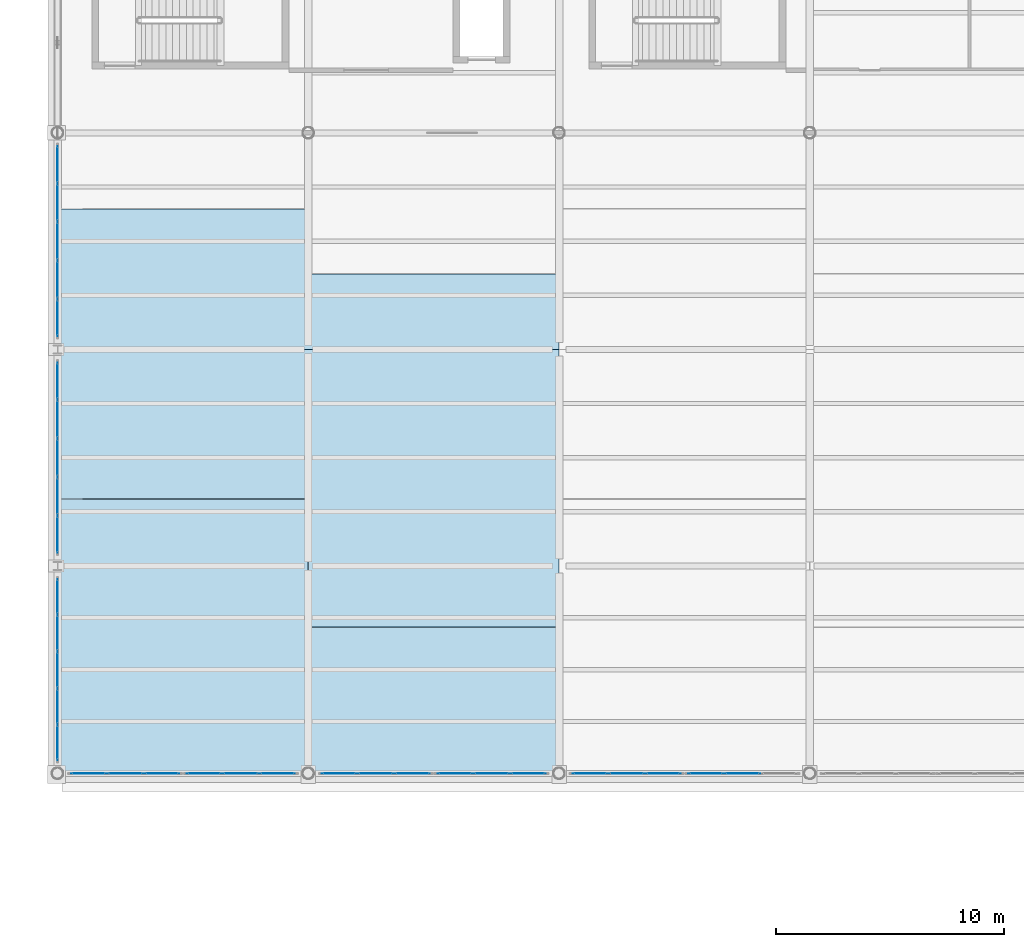
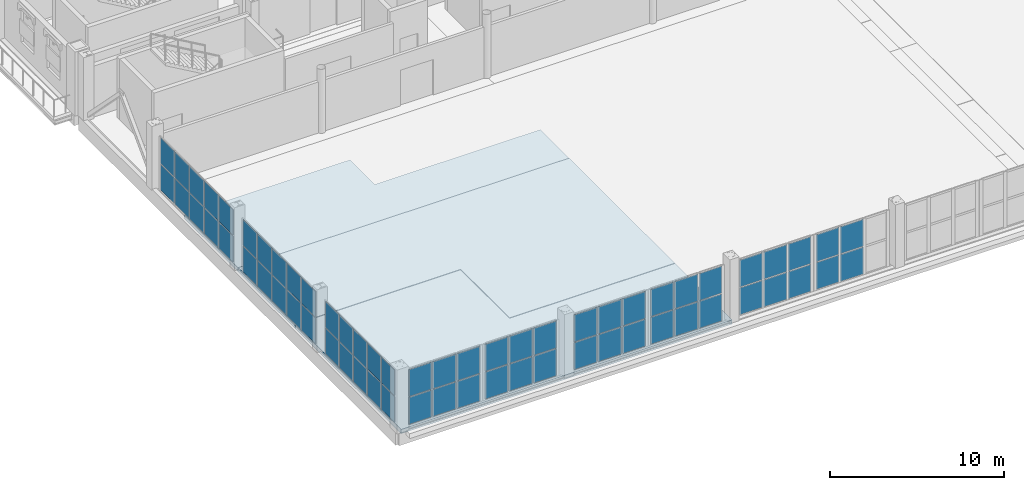
# One storey, part 101 of 156: 64 plates, 3 slabs, 9 elements without a shape of their own.
"""IFC4 building model written with IfcOpenShell, lengths in metres."""

from ifc_helpers import new_model, si_unit, direction, frame, origin, origin_2d, place, context, subcontext, project, spatial, polyline, rectangle, outline, extrude, material, layer, layer_set, type_object, element, aggregate, save


model = new_model("IFC4")

# Units and contexts
model_context = context("Model", 3, precision=1e-05, world=origin(), true_north=direction((0.0, 1.0)))
body_context = subcontext(model_context, "Body", "Model", "MODEL_VIEW")
ifc_project = project(units=[si_unit("LENGTHUNIT", "METRE"), si_unit("AREAUNIT", "SQUARE_METRE"), si_unit("VOLUMEUNIT", "CUBIC_METRE"), si_unit("PLANEANGLEUNIT", "RADIAN"), si_unit("MASSUNIT", "GRAM", prefix="KILO")], contexts=[model_context])

# Site, building, storey
site_placement = place(None, origin())
site = spatial("IfcSite", under=ifc_project, at=site_placement, CompositionType="ELEMENT")
building_placement = place(site_placement, origin())
building = spatial("IfcBuilding", under=site, at=building_placement, Name="Caurita Quay Ferry Terminal", CompositionType="ELEMENT")
storey_placement = place(building_placement, frame((0.0, 0.0, 5.39990234375)))
storey = spatial("IfcBuildingStorey", under=building, at=storey_placement, Name="L01", CompositionType="ELEMENT", Elevation=5.39990234375)

# Curtain wall, plates
ifc_material_1 = material(Name="Laminated solar-control insulated glass", Category="glass")
curtain_wall_type_1 = type_object("IfcCurtainWallType", Name="CW-SYS-08", PredefinedType="NOTDEFINED", material=ifc_material_1)
curtain_wall_1_placement = place(storey_placement, origin())
curtain_wall_1 = element("IfcCurtainWall", 1, at=curtain_wall_1_placement, inside=storey, type_object=curtain_wall_type_1, Name="V1 Waterside Concourse Curtain Wall 049", PredefinedType="NOTDEFINED")
ifc_layer_1 = layer(ifc_material_1, 0.028076171875, Name="Laminated low-e hurricane-rated glazing unit 28 mm")
ifc_layer_set_1 = layer_set([ifc_layer_1], Name="Laminated solar-control insulated glass")
plate_type = type_object("IfcPlateType", Name="CW-PNL-28", PredefinedType="CURTAIN_PANEL", material=ifc_layer_set_1)
plate_1_placement = place(storey_placement, frame((1.35205078125, 34.60009765625, 0.06298828125), z_axis=(0.0, 0.0, 1.0), x_axis=(1.0, 0.0, 0.0)))
plate_1 = element("IfcPlate", 2, at=plate_1_placement, type_object=plate_type, Name="CW-SEA-049 Glazing Panel 1", PredefinedType="CURTAIN_PANEL", context=body_context, shape_type="SweptSolid", body=[
    extrude(rectangle(XDim=1.518310546875, YDim=0.028076171875, at=origin_2d()), origin(), (0.0, 0.0, 1.0), 1.8916015625),
])
plate_2_placement = place(storey_placement, frame((1.35205078125, 34.60009765625, 2.015625), z_axis=(0.0, 0.0, 1.0), x_axis=(1.0, 0.0, 0.0)))
plate_2 = element("IfcPlate", 3, at=plate_2_placement, type_object=plate_type, Name="CW-SEA-049 Glazing Panel 2", PredefinedType="CURTAIN_PANEL", context=body_context, shape_type="SweptSolid", body=[
    extrude(rectangle(XDim=1.518310546875, YDim=0.028076171875, at=origin_2d()), origin(), (0.0, 0.0, 1.0), 1.8916015625),
])
plate_3_placement = place(storey_placement, frame((2.9599609375, 34.60009765625, 0.06298828125), z_axis=(0.0, 0.0, 1.0), x_axis=(1.0, 0.0, 0.0)))
plate_3 = element("IfcPlate", 4, at=plate_3_placement, type_object=plate_type, Name="CW-SEA-049 Glazing Panel 3", PredefinedType="CURTAIN_PANEL", context=body_context, shape_type="SweptSolid", body=[
    extrude(rectangle(XDim=1.5556640625, YDim=0.028076171875, at=origin_2d()), origin(), (0.0, 0.0, 1.0), 1.8916015625),
])
plate_4_placement = place(storey_placement, frame((2.9599609375, 34.60009765625, 2.015625), z_axis=(0.0, 0.0, 1.0), x_axis=(1.0, 0.0, 0.0)))
plate_4 = element("IfcPlate", 5, at=plate_4_placement, type_object=plate_type, Name="CW-SEA-049 Glazing Panel 4", PredefinedType="CURTAIN_PANEL", context=body_context, shape_type="SweptSolid", body=[
    extrude(rectangle(XDim=1.5556640625, YDim=0.028076171875, at=origin_2d()), origin(), (0.0, 0.0, 1.0), 1.8916015625),
])
plate_5_placement = place(storey_placement, frame((4.56787109375, 34.60009765625, 0.06298828125), z_axis=(0.0, 0.0, 1.0), x_axis=(1.0, 0.0, 0.0)))
plate_5 = element("IfcPlate", 6, at=plate_5_placement, type_object=plate_type, Name="CW-SEA-049 Glazing Panel 5", PredefinedType="CURTAIN_PANEL", context=body_context, shape_type="SweptSolid", body=[
    extrude(rectangle(XDim=1.518310546875, YDim=0.028076171875, at=origin_2d()), origin(), (0.0, 0.0, 1.0), 1.8916015625),
])
plate_6_placement = place(storey_placement, frame((4.56787109375, 34.60009765625, 2.015625), z_axis=(0.0, 0.0, 1.0), x_axis=(1.0, 0.0, 0.0)))
plate_6 = element("IfcPlate", 7, at=plate_6_placement, type_object=plate_type, Name="CW-SEA-049 Glazing Panel 6", PredefinedType="CURTAIN_PANEL", context=body_context, shape_type="SweptSolid", body=[
    extrude(rectangle(XDim=1.518310546875, YDim=0.028076171875, at=origin_2d()), origin(), (0.0, 0.0, 1.0), 1.8916015625),
])
aggregate(curtain_wall_1, [plate_1, plate_2, plate_3, plate_4, plate_5, plate_6])

curtain_wall_2_placement = place(storey_placement, origin())
curtain_wall_2 = element("IfcCurtainWall", 8, at=curtain_wall_2_placement, inside=storey, type_object=curtain_wall_type_1, Name="V1 Waterside Concourse Curtain Wall 050", PredefinedType="NOTDEFINED")
plate_7_placement = place(storey_placement, frame((6.43212890625, 34.60009765625, 0.06298828125), z_axis=(0.0, 0.0, 1.0), x_axis=(1.0, 0.0, 0.0)))
plate_7 = element("IfcPlate", 9, at=plate_7_placement, type_object=plate_type, Name="CW-SEA-050 Glazing Panel 1", PredefinedType="CURTAIN_PANEL", context=body_context, shape_type="SweptSolid", body=[
    extrude(rectangle(XDim=1.518310546875, YDim=0.028076171875, at=origin_2d()), origin(), (0.0, 0.0, 1.0), 1.8916015625),
])
plate_8_placement = place(storey_placement, frame((6.43212890625, 34.60009765625, 2.015625), z_axis=(0.0, 0.0, 1.0), x_axis=(1.0, 0.0, 0.0)))
plate_8 = element("IfcPlate", 10, at=plate_8_placement, type_object=plate_type, Name="CW-SEA-050 Glazing Panel 2", PredefinedType="CURTAIN_PANEL", context=body_context, shape_type="SweptSolid", body=[
    extrude(rectangle(XDim=1.518310546875, YDim=0.028076171875, at=origin_2d()), origin(), (0.0, 0.0, 1.0), 1.8916015625),
])
plate_9_placement = place(storey_placement, frame((8.0400390625, 34.60009765625, 0.06298828125), z_axis=(0.0, 0.0, 1.0), x_axis=(1.0, 0.0, 0.0)))
plate_9 = element("IfcPlate", 11, at=plate_9_placement, type_object=plate_type, Name="CW-SEA-050 Glazing Panel 3", PredefinedType="CURTAIN_PANEL", context=body_context, shape_type="SweptSolid", body=[
    extrude(rectangle(XDim=1.5556640625, YDim=0.028076171875, at=origin_2d()), origin(), (0.0, 0.0, 1.0), 1.8916015625),
])
plate_10_placement = place(storey_placement, frame((8.0400390625, 34.60009765625, 2.015625), z_axis=(0.0, 0.0, 1.0), x_axis=(1.0, 0.0, 0.0)))
plate_10 = element("IfcPlate", 12, at=plate_10_placement, type_object=plate_type, Name="CW-SEA-050 Glazing Panel 4", PredefinedType="CURTAIN_PANEL", context=body_context, shape_type="SweptSolid", body=[
    extrude(rectangle(XDim=1.5556640625, YDim=0.028076171875, at=origin_2d()), origin(), (0.0, 0.0, 1.0), 1.8916015625),
])
plate_11_placement = place(storey_placement, frame((9.64794921875, 34.60009765625, 0.06298828125), z_axis=(0.0, 0.0, 1.0), x_axis=(1.0, 0.0, 0.0)))
plate_11 = element("IfcPlate", 13, at=plate_11_placement, type_object=plate_type, Name="CW-SEA-050 Glazing Panel 5", PredefinedType="CURTAIN_PANEL", context=body_context, shape_type="SweptSolid", body=[
    extrude(rectangle(XDim=1.518310546875, YDim=0.028076171875, at=origin_2d()), origin(), (0.0, 0.0, 1.0), 1.8916015625),
])
plate_12_placement = place(storey_placement, frame((9.64794921875, 34.60009765625, 2.015625), z_axis=(0.0, 0.0, 1.0), x_axis=(1.0, 0.0, 0.0)))
plate_12 = element("IfcPlate", 14, at=plate_12_placement, type_object=plate_type, Name="CW-SEA-050 Glazing Panel 6", PredefinedType="CURTAIN_PANEL", context=body_context, shape_type="SweptSolid", body=[
    extrude(rectangle(XDim=1.518310546875, YDim=0.028076171875, at=origin_2d()), origin(), (0.0, 0.0, 1.0), 1.8916015625),
])
aggregate(curtain_wall_2, [plate_7, plate_8, plate_9, plate_10, plate_11, plate_12])

curtain_wall_3_placement = place(storey_placement, origin())
curtain_wall_3 = element("IfcCurtainWall", 15, at=curtain_wall_3_placement, inside=storey, type_object=curtain_wall_type_1, Name="V1 Waterside Concourse Curtain Wall 051", PredefinedType="NOTDEFINED")
plate_13_placement = place(storey_placement, frame((12.35205078125, 34.60009765625, 0.06298828125), z_axis=(0.0, 0.0, 1.0), x_axis=(1.0, 0.0, 0.0)))
plate_13 = element("IfcPlate", 16, at=plate_13_placement, type_object=plate_type, Name="CW-SEA-051 Glazing Panel 1", PredefinedType="CURTAIN_PANEL", context=body_context, shape_type="SweptSolid", body=[
    extrude(rectangle(XDim=1.518310546875, YDim=0.028076171875, at=origin_2d()), origin(), (0.0, 0.0, 1.0), 1.8916015625),
])
plate_14_placement = place(storey_placement, frame((12.35205078125, 34.60009765625, 2.015625), z_axis=(0.0, 0.0, 1.0), x_axis=(1.0, 0.0, 0.0)))
plate_14 = element("IfcPlate", 17, at=plate_14_placement, type_object=plate_type, Name="CW-SEA-051 Glazing Panel 2", PredefinedType="CURTAIN_PANEL", context=body_context, shape_type="SweptSolid", body=[
    extrude(rectangle(XDim=1.518310546875, YDim=0.028076171875, at=origin_2d()), origin(), (0.0, 0.0, 1.0), 1.8916015625),
])
plate_15_placement = place(storey_placement, frame((13.9599609375, 34.60009765625, 0.06298828125), z_axis=(0.0, 0.0, 1.0), x_axis=(1.0, 0.0, 0.0)))
plate_15 = element("IfcPlate", 18, at=plate_15_placement, type_object=plate_type, Name="CW-SEA-051 Glazing Panel 3", PredefinedType="CURTAIN_PANEL", context=body_context, shape_type="SweptSolid", body=[
    extrude(rectangle(XDim=1.5556640625, YDim=0.028076171875, at=origin_2d()), origin(), (0.0, 0.0, 1.0), 1.8916015625),
])
plate_16_placement = place(storey_placement, frame((13.9599609375, 34.60009765625, 2.015625), z_axis=(0.0, 0.0, 1.0), x_axis=(1.0, 0.0, 0.0)))
plate_16 = element("IfcPlate", 19, at=plate_16_placement, type_object=plate_type, Name="CW-SEA-051 Glazing Panel 4", PredefinedType="CURTAIN_PANEL", context=body_context, shape_type="SweptSolid", body=[
    extrude(rectangle(XDim=1.5556640625, YDim=0.028076171875, at=origin_2d()), origin(), (0.0, 0.0, 1.0), 1.8916015625),
])
plate_17_placement = place(storey_placement, frame((15.56787109375, 34.60009765625, 0.06298828125), z_axis=(0.0, 0.0, 1.0), x_axis=(1.0, 0.0, 0.0)))
plate_17 = element("IfcPlate", 20, at=plate_17_placement, type_object=plate_type, Name="CW-SEA-051 Glazing Panel 5", PredefinedType="CURTAIN_PANEL", context=body_context, shape_type="SweptSolid", body=[
    extrude(rectangle(XDim=1.518310546875, YDim=0.028076171875, at=origin_2d()), origin(), (0.0, 0.0, 1.0), 1.8916015625),
])
plate_18_placement = place(storey_placement, frame((15.56787109375, 34.60009765625, 2.015625), z_axis=(0.0, 0.0, 1.0), x_axis=(1.0, 0.0, 0.0)))
plate_18 = element("IfcPlate", 21, at=plate_18_placement, type_object=plate_type, Name="CW-SEA-051 Glazing Panel 6", PredefinedType="CURTAIN_PANEL", context=body_context, shape_type="SweptSolid", body=[
    extrude(rectangle(XDim=1.518310546875, YDim=0.028076171875, at=origin_2d()), origin(), (0.0, 0.0, 1.0), 1.8916015625),
])
aggregate(curtain_wall_3, [plate_13, plate_14, plate_15, plate_16, plate_17, plate_18])

curtain_wall_4_placement = place(storey_placement, origin())
curtain_wall_4 = element("IfcCurtainWall", 22, at=curtain_wall_4_placement, inside=storey, type_object=curtain_wall_type_1, Name="V1 Waterside Concourse Curtain Wall 052", PredefinedType="NOTDEFINED")
plate_19_placement = place(storey_placement, frame((17.43212890625, 34.60009765625, 0.06298828125), z_axis=(0.0, 0.0, 1.0), x_axis=(1.0, 0.0, 0.0)))
plate_19 = element("IfcPlate", 23, at=plate_19_placement, type_object=plate_type, Name="CW-SEA-052 Glazing Panel 1", PredefinedType="CURTAIN_PANEL", context=body_context, shape_type="SweptSolid", body=[
    extrude(rectangle(XDim=1.518310546875, YDim=0.028076171875, at=origin_2d()), origin(), (0.0, 0.0, 1.0), 1.8916015625),
])
plate_20_placement = place(storey_placement, frame((17.43212890625, 34.60009765625, 2.015625), z_axis=(0.0, 0.0, 1.0), x_axis=(1.0, 0.0, 0.0)))
plate_20 = element("IfcPlate", 24, at=plate_20_placement, type_object=plate_type, Name="CW-SEA-052 Glazing Panel 2", PredefinedType="CURTAIN_PANEL", context=body_context, shape_type="SweptSolid", body=[
    extrude(rectangle(XDim=1.518310546875, YDim=0.028076171875, at=origin_2d()), origin(), (0.0, 0.0, 1.0), 1.8916015625),
])
plate_21_placement = place(storey_placement, frame((19.0400390625, 34.60009765625, 0.06298828125), z_axis=(0.0, 0.0, 1.0), x_axis=(1.0, 0.0, 0.0)))
plate_21 = element("IfcPlate", 25, at=plate_21_placement, type_object=plate_type, Name="CW-SEA-052 Glazing Panel 3", PredefinedType="CURTAIN_PANEL", context=body_context, shape_type="SweptSolid", body=[
    extrude(rectangle(XDim=1.5556640625, YDim=0.028076171875, at=origin_2d()), origin(), (0.0, 0.0, 1.0), 1.8916015625),
])
plate_22_placement = place(storey_placement, frame((19.0400390625, 34.60009765625, 2.015625), z_axis=(0.0, 0.0, 1.0), x_axis=(1.0, 0.0, 0.0)))
plate_22 = element("IfcPlate", 26, at=plate_22_placement, type_object=plate_type, Name="CW-SEA-052 Glazing Panel 4", PredefinedType="CURTAIN_PANEL", context=body_context, shape_type="SweptSolid", body=[
    extrude(rectangle(XDim=1.5556640625, YDim=0.028076171875, at=origin_2d()), origin(), (0.0, 0.0, 1.0), 1.8916015625),
])
plate_23_placement = place(storey_placement, frame((20.64794921875, 34.60009765625, 0.06298828125), z_axis=(0.0, 0.0, 1.0), x_axis=(1.0, 0.0, 0.0)))
plate_23 = element("IfcPlate", 27, at=plate_23_placement, type_object=plate_type, Name="CW-SEA-052 Glazing Panel 5", PredefinedType="CURTAIN_PANEL", context=body_context, shape_type="SweptSolid", body=[
    extrude(rectangle(XDim=1.518310546875, YDim=0.028076171875, at=origin_2d()), origin(), (0.0, 0.0, 1.0), 1.8916015625),
])
plate_24_placement = place(storey_placement, frame((20.64794921875, 34.60009765625, 2.015625), z_axis=(0.0, 0.0, 1.0), x_axis=(1.0, 0.0, 0.0)))
plate_24 = element("IfcPlate", 28, at=plate_24_placement, type_object=plate_type, Name="CW-SEA-052 Glazing Panel 6", PredefinedType="CURTAIN_PANEL", context=body_context, shape_type="SweptSolid", body=[
    extrude(rectangle(XDim=1.518310546875, YDim=0.028076171875, at=origin_2d()), origin(), (0.0, 0.0, 1.0), 1.8916015625),
])
aggregate(curtain_wall_4, [plate_19, plate_20, plate_21, plate_22, plate_23, plate_24])

curtain_wall_5_placement = place(storey_placement, origin())
curtain_wall_5 = element("IfcCurtainWall", 29, at=curtain_wall_5_placement, inside=storey, type_object=curtain_wall_type_1, Name="V1 Waterside Concourse Curtain Wall 053", PredefinedType="NOTDEFINED")
plate_25_placement = place(storey_placement, frame((23.35205078125, 34.60009765625, 0.06298828125), z_axis=(0.0, 0.0, 1.0), x_axis=(1.0, 0.0, 0.0)))
plate_25 = element("IfcPlate", 30, at=plate_25_placement, type_object=plate_type, Name="CW-SEA-053 Glazing Panel 1", PredefinedType="CURTAIN_PANEL", context=body_context, shape_type="SweptSolid", body=[
    extrude(rectangle(XDim=1.518310546875, YDim=0.028076171875, at=origin_2d()), origin(), (0.0, 0.0, 1.0), 1.8916015625),
])
plate_26_placement = place(storey_placement, frame((23.35205078125, 34.60009765625, 2.015625), z_axis=(0.0, 0.0, 1.0), x_axis=(1.0, 0.0, 0.0)))
plate_26 = element("IfcPlate", 31, at=plate_26_placement, type_object=plate_type, Name="CW-SEA-053 Glazing Panel 2", PredefinedType="CURTAIN_PANEL", context=body_context, shape_type="SweptSolid", body=[
    extrude(rectangle(XDim=1.518310546875, YDim=0.028076171875, at=origin_2d()), origin(), (0.0, 0.0, 1.0), 1.8916015625),
])
plate_27_placement = place(storey_placement, frame((24.9599609375, 34.60009765625, 0.06298828125), z_axis=(0.0, 0.0, 1.0), x_axis=(1.0, 0.0, 0.0)))
plate_27 = element("IfcPlate", 32, at=plate_27_placement, type_object=plate_type, Name="CW-SEA-053 Glazing Panel 3", PredefinedType="CURTAIN_PANEL", context=body_context, shape_type="SweptSolid", body=[
    extrude(rectangle(XDim=1.5556640625, YDim=0.028076171875, at=origin_2d()), origin(), (0.0, 0.0, 1.0), 1.8916015625),
])
plate_28_placement = place(storey_placement, frame((24.9599609375, 34.60009765625, 2.015625), z_axis=(0.0, 0.0, 1.0), x_axis=(1.0, 0.0, 0.0)))
plate_28 = element("IfcPlate", 33, at=plate_28_placement, type_object=plate_type, Name="CW-SEA-053 Glazing Panel 4", PredefinedType="CURTAIN_PANEL", context=body_context, shape_type="SweptSolid", body=[
    extrude(rectangle(XDim=1.5556640625, YDim=0.028076171875, at=origin_2d()), origin(), (0.0, 0.0, 1.0), 1.8916015625),
])
plate_29_placement = place(storey_placement, frame((26.56787109375, 34.60009765625, 0.06298828125), z_axis=(0.0, 0.0, 1.0), x_axis=(1.0, 0.0, 0.0)))
plate_29 = element("IfcPlate", 34, at=plate_29_placement, type_object=plate_type, Name="CW-SEA-053 Glazing Panel 5", PredefinedType="CURTAIN_PANEL", context=body_context, shape_type="SweptSolid", body=[
    extrude(rectangle(XDim=1.518310546875, YDim=0.028076171875, at=origin_2d()), origin(), (0.0, 0.0, 1.0), 1.8916015625),
])
plate_30_placement = place(storey_placement, frame((26.56787109375, 34.60009765625, 2.015625), z_axis=(0.0, 0.0, 1.0), x_axis=(1.0, 0.0, 0.0)))
plate_30 = element("IfcPlate", 35, at=plate_30_placement, type_object=plate_type, Name="CW-SEA-053 Glazing Panel 6", PredefinedType="CURTAIN_PANEL", context=body_context, shape_type="SweptSolid", body=[
    extrude(rectangle(XDim=1.518310546875, YDim=0.028076171875, at=origin_2d()), origin(), (0.0, 0.0, 1.0), 1.8916015625),
])
aggregate(curtain_wall_5, [plate_25, plate_26, plate_27, plate_28, plate_29, plate_30])

curtain_wall_6_placement = place(storey_placement, origin())
curtain_wall_6 = element("IfcCurtainWall", 36, at=curtain_wall_6_placement, inside=storey, type_object=curtain_wall_type_1, Name="V1 Waterside Concourse Curtain Wall 054", PredefinedType="NOTDEFINED")
plate_31_placement = place(storey_placement, frame((28.43212890625, 34.60009765625, 0.06298828125), z_axis=(0.0, 0.0, 1.0), x_axis=(1.0, 0.0, 0.0)))
plate_31 = element("IfcPlate", 37, at=plate_31_placement, type_object=plate_type, Name="CW-SEA-054 Glazing Panel 1", PredefinedType="CURTAIN_PANEL", context=body_context, shape_type="SweptSolid", body=[
    extrude(rectangle(XDim=1.518310546875, YDim=0.028076171875, at=origin_2d()), origin(), (0.0, 0.0, 1.0), 1.8916015625),
])
plate_32_placement = place(storey_placement, frame((28.43212890625, 34.60009765625, 2.015625), z_axis=(0.0, 0.0, 1.0), x_axis=(1.0, 0.0, 0.0)))
plate_32 = element("IfcPlate", 38, at=plate_32_placement, type_object=plate_type, Name="CW-SEA-054 Glazing Panel 2", PredefinedType="CURTAIN_PANEL", context=body_context, shape_type="SweptSolid", body=[
    extrude(rectangle(XDim=1.518310546875, YDim=0.028076171875, at=origin_2d()), origin(), (0.0, 0.0, 1.0), 1.8916015625),
])
plate_33_placement = place(storey_placement, frame((30.0400390625, 34.60009765625, 0.06298828125), z_axis=(0.0, 0.0, 1.0), x_axis=(1.0, 0.0, 0.0)))
plate_33 = element("IfcPlate", 39, at=plate_33_placement, type_object=plate_type, Name="CW-SEA-054 Glazing Panel 3", PredefinedType="CURTAIN_PANEL", context=body_context, shape_type="SweptSolid", body=[
    extrude(rectangle(XDim=1.5556640625, YDim=0.028076171875, at=origin_2d()), origin(), (0.0, 0.0, 1.0), 1.8916015625),
])
plate_34_placement = place(storey_placement, frame((30.0400390625, 34.60009765625, 2.015625), z_axis=(0.0, 0.0, 1.0), x_axis=(1.0, 0.0, 0.0)))
plate_34 = element("IfcPlate", 40, at=plate_34_placement, type_object=plate_type, Name="CW-SEA-054 Glazing Panel 4", PredefinedType="CURTAIN_PANEL", context=body_context, shape_type="SweptSolid", body=[
    extrude(rectangle(XDim=1.5556640625, YDim=0.028076171875, at=origin_2d()), origin(), (0.0, 0.0, 1.0), 1.8916015625),
])
aggregate(curtain_wall_6, [plate_31, plate_32, plate_33, plate_34])

curtain_wall_type_2 = type_object("IfcCurtainWallType", Name="CW-SYS-11", PredefinedType="NOTDEFINED", material=ifc_material_1)
curtain_wall_7_placement = place(storey_placement, origin())
curtain_wall_7 = element("IfcCurtainWall", 41, at=curtain_wall_7_placement, inside=storey, type_object=curtain_wall_type_2, Name="Concourse Gable Curtain Wall 077", PredefinedType="NOTDEFINED")
plate_35_placement = place(storey_placement, frame((0.0, 35.942138671875, 0.05810546875), z_axis=(0.0, 0.0, 1.0), x_axis=(0.0, 1.0, 0.0)))
plate_35 = element("IfcPlate", 42, at=plate_35_placement, type_object=plate_type, Name="CW-GBL-077 Glazing Panel 1", PredefinedType="CURTAIN_PANEL", context=body_context, shape_type="SweptSolid", body=[
    extrude(rectangle(XDim=1.5185546875, YDim=0.028076171875, at=origin_2d()), origin(), (0.0, 0.0, 1.0), 1.81396484375),
])
plate_36_placement = place(storey_placement, frame((0.0, 35.942138671875, 1.92822265625), z_axis=(0.0, 0.0, 1.0), x_axis=(0.0, 1.0, 0.0)))
plate_36 = element("IfcPlate", 43, at=plate_36_placement, type_object=plate_type, Name="CW-GBL-077 Glazing Panel 2", PredefinedType="CURTAIN_PANEL", context=body_context, shape_type="SweptSolid", body=[
    extrude(rectangle(XDim=1.5185546875, YDim=0.028076171875, at=origin_2d()), origin(), (0.0, 0.0, 1.0), 1.81396484375),
])
plate_37_placement = place(storey_placement, frame((0.0, 37.5380859375, 0.05810546875), z_axis=(0.0, 0.0, 1.0), x_axis=(0.0, 1.0, 0.0)))
plate_37 = element("IfcPlate", 44, at=plate_37_placement, type_object=plate_type, Name="CW-GBL-077 Glazing Panel 3", PredefinedType="CURTAIN_PANEL", context=body_context, shape_type="SweptSolid", body=[
    extrude(rectangle(XDim=1.551025390625, YDim=0.028076171875, at=origin_2d()), origin(), (0.0, 0.0, 1.0), 1.81396484375),
])
plate_38_placement = place(storey_placement, frame((0.0, 37.5380859375, 1.92822265625), z_axis=(0.0, 0.0, 1.0), x_axis=(0.0, 1.0, 0.0)))
plate_38 = element("IfcPlate", 45, at=plate_38_placement, type_object=plate_type, Name="CW-GBL-077 Glazing Panel 4", PredefinedType="CURTAIN_PANEL", context=body_context, shape_type="SweptSolid", body=[
    extrude(rectangle(XDim=1.551025390625, YDim=0.028076171875, at=origin_2d()), origin(), (0.0, 0.0, 1.0), 1.81396484375),
])
plate_39_placement = place(storey_placement, frame((0.0, 39.14990234375, 0.05810546875), z_axis=(0.0, 0.0, 1.0), x_axis=(0.0, 1.0, 0.0)))
plate_39 = element("IfcPlate", 46, at=plate_39_placement, type_object=plate_type, Name="CW-GBL-077 Glazing Panel 5", PredefinedType="CURTAIN_PANEL", context=body_context, shape_type="SweptSolid", body=[
    extrude(rectangle(XDim=1.551025390625, YDim=0.028076171875, at=origin_2d()), origin(), (0.0, 0.0, 1.0), 1.81396484375),
])
plate_40_placement = place(storey_placement, frame((0.0, 39.14990234375, 1.92822265625), z_axis=(0.0, 0.0, 1.0), x_axis=(0.0, 1.0, 0.0)))
plate_40 = element("IfcPlate", 47, at=plate_40_placement, type_object=plate_type, Name="CW-GBL-077 Glazing Panel 6", PredefinedType="CURTAIN_PANEL", context=body_context, shape_type="SweptSolid", body=[
    extrude(rectangle(XDim=1.551025390625, YDim=0.028076171875, at=origin_2d()), origin(), (0.0, 0.0, 1.0), 1.81396484375),
])
plate_41_placement = place(storey_placement, frame((0.0, 40.761962890625, 0.05810546875), z_axis=(0.0, 0.0, 1.0), x_axis=(0.0, 1.0, 0.0)))
plate_41 = element("IfcPlate", 48, at=plate_41_placement, type_object=plate_type, Name="CW-GBL-077 Glazing Panel 7", PredefinedType="CURTAIN_PANEL", context=body_context, shape_type="SweptSolid", body=[
    extrude(rectangle(XDim=1.551025390625, YDim=0.028076171875, at=origin_2d()), origin(), (0.0, 0.0, 1.0), 1.81396484375),
])
plate_42_placement = place(storey_placement, frame((0.0, 40.761962890625, 1.92822265625), z_axis=(0.0, 0.0, 1.0), x_axis=(0.0, 1.0, 0.0)))
plate_42 = element("IfcPlate", 49, at=plate_42_placement, type_object=plate_type, Name="CW-GBL-077 Glazing Panel 8", PredefinedType="CURTAIN_PANEL", context=body_context, shape_type="SweptSolid", body=[
    extrude(rectangle(XDim=1.551025390625, YDim=0.028076171875, at=origin_2d()), origin(), (0.0, 0.0, 1.0), 1.81396484375),
])
plate_43_placement = place(storey_placement, frame((0.0, 42.357666015625, 0.05810546875), z_axis=(0.0, 0.0, 1.0), x_axis=(0.0, 1.0, 0.0)))
plate_43 = element("IfcPlate", 50, at=plate_43_placement, type_object=plate_type, Name="CW-GBL-077 Glazing Panel 9", PredefinedType="CURTAIN_PANEL", context=body_context, shape_type="SweptSolid", body=[
    extrude(rectangle(XDim=1.5185546875, YDim=0.028076171875, at=origin_2d()), origin(), (0.0, 0.0, 1.0), 1.81396484375),
])
plate_44_placement = place(storey_placement, frame((0.0, 42.357666015625, 1.92822265625), z_axis=(0.0, 0.0, 1.0), x_axis=(0.0, 1.0, 0.0)))
plate_44 = element("IfcPlate", 51, at=plate_44_placement, type_object=plate_type, Name="CW-GBL-077 Glazing Panel 10", PredefinedType="CURTAIN_PANEL", context=body_context, shape_type="SweptSolid", body=[
    extrude(rectangle(XDim=1.5185546875, YDim=0.028076171875, at=origin_2d()), origin(), (0.0, 0.0, 1.0), 1.81396484375),
])
aggregate(curtain_wall_7, [plate_35, plate_36, plate_37, plate_38, plate_39, plate_40, plate_41, plate_42, plate_43, plate_44])

curtain_wall_type_3 = type_object("IfcCurtainWallType", Name="CW-SYS-12", PredefinedType="NOTDEFINED", material=ifc_material_1)
curtain_wall_8_placement = place(storey_placement, origin())
curtain_wall_8 = element("IfcCurtainWall", 52, at=curtain_wall_8_placement, inside=storey, type_object=curtain_wall_type_3, Name="Concourse Gable Curtain Wall 078", PredefinedType="NOTDEFINED")
plate_45_placement = place(storey_placement, frame((0.0, 45.082275390625, 0.05810546875), z_axis=(0.0, 0.0, 1.0), x_axis=(0.0, 1.0, 0.0)))
plate_45 = element("IfcPlate", 53, at=plate_45_placement, type_object=plate_type, Name="CW-GBL-078 Glazing Panel 1", PredefinedType="CURTAIN_PANEL", context=body_context, shape_type="SweptSolid", body=[
    extrude(rectangle(XDim=1.598388671875, YDim=0.028076171875, at=origin_2d()), origin(), (0.0, 0.0, 1.0), 1.81396484375),
])
plate_46_placement = place(storey_placement, frame((0.0, 45.082275390625, 1.92822265625), z_axis=(0.0, 0.0, 1.0), x_axis=(0.0, 1.0, 0.0)))
plate_46 = element("IfcPlate", 54, at=plate_46_placement, type_object=plate_type, Name="CW-GBL-078 Glazing Panel 2", PredefinedType="CURTAIN_PANEL", context=body_context, shape_type="SweptSolid", body=[
    extrude(rectangle(XDim=1.598388671875, YDim=0.028076171875, at=origin_2d()), origin(), (0.0, 0.0, 1.0), 1.81396484375),
])
plate_47_placement = place(storey_placement, frame((0.0, 46.758056640625, 0.05810546875), z_axis=(0.0, 0.0, 1.0), x_axis=(0.0, 1.0, 0.0)))
plate_47 = element("IfcPlate", 55, at=plate_47_placement, type_object=plate_type, Name="CW-GBL-078 Glazing Panel 3", PredefinedType="CURTAIN_PANEL", context=body_context, shape_type="SweptSolid", body=[
    extrude(rectangle(XDim=1.631103515625, YDim=0.028076171875, at=origin_2d()), origin(), (0.0, 0.0, 1.0), 1.81396484375),
])
plate_48_placement = place(storey_placement, frame((0.0, 46.758056640625, 1.92822265625), z_axis=(0.0, 0.0, 1.0), x_axis=(0.0, 1.0, 0.0)))
plate_48 = element("IfcPlate", 56, at=plate_48_placement, type_object=plate_type, Name="CW-GBL-078 Glazing Panel 4", PredefinedType="CURTAIN_PANEL", context=body_context, shape_type="SweptSolid", body=[
    extrude(rectangle(XDim=1.631103515625, YDim=0.028076171875, at=origin_2d()), origin(), (0.0, 0.0, 1.0), 1.81396484375),
])
plate_49_placement = place(storey_placement, frame((0.0, 48.449951171875, 0.05810546875), z_axis=(0.0, 0.0, 1.0), x_axis=(0.0, 1.0, 0.0)))
plate_49 = element("IfcPlate", 57, at=plate_49_placement, type_object=plate_type, Name="CW-GBL-078 Glazing Panel 5", PredefinedType="CURTAIN_PANEL", context=body_context, shape_type="SweptSolid", body=[
    extrude(rectangle(XDim=1.631103515625, YDim=0.028076171875, at=origin_2d()), origin(), (0.0, 0.0, 1.0), 1.81396484375),
])
plate_50_placement = place(storey_placement, frame((0.0, 48.449951171875, 1.92822265625), z_axis=(0.0, 0.0, 1.0), x_axis=(0.0, 1.0, 0.0)))
plate_50 = element("IfcPlate", 58, at=plate_50_placement, type_object=plate_type, Name="CW-GBL-078 Glazing Panel 6", PredefinedType="CURTAIN_PANEL", context=body_context, shape_type="SweptSolid", body=[
    extrude(rectangle(XDim=1.631103515625, YDim=0.028076171875, at=origin_2d()), origin(), (0.0, 0.0, 1.0), 1.81396484375),
])
plate_51_placement = place(storey_placement, frame((0.0, 50.14208984375, 0.05810546875), z_axis=(0.0, 0.0, 1.0), x_axis=(0.0, 1.0, 0.0)))
plate_51 = element("IfcPlate", 59, at=plate_51_placement, type_object=plate_type, Name="CW-GBL-078 Glazing Panel 7", PredefinedType="CURTAIN_PANEL", context=body_context, shape_type="SweptSolid", body=[
    extrude(rectangle(XDim=1.631103515625, YDim=0.028076171875, at=origin_2d()), origin(), (0.0, 0.0, 1.0), 1.81396484375),
])
plate_52_placement = place(storey_placement, frame((0.0, 50.14208984375, 1.92822265625), z_axis=(0.0, 0.0, 1.0), x_axis=(0.0, 1.0, 0.0)))
plate_52 = element("IfcPlate", 60, at=plate_52_placement, type_object=plate_type, Name="CW-GBL-078 Glazing Panel 8", PredefinedType="CURTAIN_PANEL", context=body_context, shape_type="SweptSolid", body=[
    extrude(rectangle(XDim=1.631103515625, YDim=0.028076171875, at=origin_2d()), origin(), (0.0, 0.0, 1.0), 1.81396484375),
])
plate_53_placement = place(storey_placement, frame((0.0, 51.817626953125, 0.05810546875), z_axis=(0.0, 0.0, 1.0), x_axis=(0.0, 1.0, 0.0)))
plate_53 = element("IfcPlate", 61, at=plate_53_placement, type_object=plate_type, Name="CW-GBL-078 Glazing Panel 9", PredefinedType="CURTAIN_PANEL", context=body_context, shape_type="SweptSolid", body=[
    extrude(rectangle(XDim=1.598388671875, YDim=0.028076171875, at=origin_2d()), origin(), (0.0, 0.0, 1.0), 1.81396484375),
])
plate_54_placement = place(storey_placement, frame((0.0, 51.817626953125, 1.92822265625), z_axis=(0.0, 0.0, 1.0), x_axis=(0.0, 1.0, 0.0)))
plate_54 = element("IfcPlate", 62, at=plate_54_placement, type_object=plate_type, Name="CW-GBL-078 Glazing Panel 10", PredefinedType="CURTAIN_PANEL", context=body_context, shape_type="SweptSolid", body=[
    extrude(rectangle(XDim=1.598388671875, YDim=0.028076171875, at=origin_2d()), origin(), (0.0, 0.0, 1.0), 1.81396484375),
])
aggregate(curtain_wall_8, [plate_45, plate_46, plate_47, plate_48, plate_49, plate_50, plate_51, plate_52, plate_53, plate_54])

curtain_wall_9_placement = place(storey_placement, origin())
curtain_wall_9 = element("IfcCurtainWall", 63, at=curtain_wall_9_placement, inside=storey, type_object=curtain_wall_type_3, Name="Concourse Gable Curtain Wall 079", PredefinedType="NOTDEFINED")
plate_55_placement = place(storey_placement, frame((0.0, 54.582275390625, 0.05810546875), z_axis=(0.0, 0.0, 1.0), x_axis=(0.0, 1.0, 0.0)))
plate_55 = element("IfcPlate", 64, at=plate_55_placement, type_object=plate_type, Name="CW-GBL-079 Glazing Panel 1", PredefinedType="CURTAIN_PANEL", context=body_context, shape_type="SweptSolid", body=[
    extrude(rectangle(XDim=1.598388671875, YDim=0.028076171875, at=origin_2d()), origin(), (0.0, 0.0, 1.0), 1.81396484375),
])
plate_56_placement = place(storey_placement, frame((0.0, 54.582275390625, 1.92822265625), z_axis=(0.0, 0.0, 1.0), x_axis=(0.0, 1.0, 0.0)))
plate_56 = element("IfcPlate", 65, at=plate_56_placement, type_object=plate_type, Name="CW-GBL-079 Glazing Panel 2", PredefinedType="CURTAIN_PANEL", context=body_context, shape_type="SweptSolid", body=[
    extrude(rectangle(XDim=1.598388671875, YDim=0.028076171875, at=origin_2d()), origin(), (0.0, 0.0, 1.0), 1.81396484375),
])
plate_57_placement = place(storey_placement, frame((0.0, 56.258056640625, 0.05810546875), z_axis=(0.0, 0.0, 1.0), x_axis=(0.0, 1.0, 0.0)))
plate_57 = element("IfcPlate", 66, at=plate_57_placement, type_object=plate_type, Name="CW-GBL-079 Glazing Panel 3", PredefinedType="CURTAIN_PANEL", context=body_context, shape_type="SweptSolid", body=[
    extrude(rectangle(XDim=1.631103515625, YDim=0.028076171875, at=origin_2d()), origin(), (0.0, 0.0, 1.0), 1.81396484375),
])
plate_58_placement = place(storey_placement, frame((0.0, 56.258056640625, 1.92822265625), z_axis=(0.0, 0.0, 1.0), x_axis=(0.0, 1.0, 0.0)))
plate_58 = element("IfcPlate", 67, at=plate_58_placement, type_object=plate_type, Name="CW-GBL-079 Glazing Panel 4", PredefinedType="CURTAIN_PANEL", context=body_context, shape_type="SweptSolid", body=[
    extrude(rectangle(XDim=1.631103515625, YDim=0.028076171875, at=origin_2d()), origin(), (0.0, 0.0, 1.0), 1.81396484375),
])
plate_59_placement = place(storey_placement, frame((0.0, 57.949951171875, 0.05810546875), z_axis=(0.0, 0.0, 1.0), x_axis=(0.0, 1.0, 0.0)))
plate_59 = element("IfcPlate", 68, at=plate_59_placement, type_object=plate_type, Name="CW-GBL-079 Glazing Panel 5", PredefinedType="CURTAIN_PANEL", context=body_context, shape_type="SweptSolid", body=[
    extrude(rectangle(XDim=1.631103515625, YDim=0.028076171875, at=origin_2d()), origin(), (0.0, 0.0, 1.0), 1.81396484375),
])
plate_60_placement = place(storey_placement, frame((0.0, 57.949951171875, 1.92822265625), z_axis=(0.0, 0.0, 1.0), x_axis=(0.0, 1.0, 0.0)))
plate_60 = element("IfcPlate", 69, at=plate_60_placement, type_object=plate_type, Name="CW-GBL-079 Glazing Panel 6", PredefinedType="CURTAIN_PANEL", context=body_context, shape_type="SweptSolid", body=[
    extrude(rectangle(XDim=1.631103515625, YDim=0.028076171875, at=origin_2d()), origin(), (0.0, 0.0, 1.0), 1.81396484375),
])
plate_61_placement = place(storey_placement, frame((0.0, 59.64208984375, 0.05810546875), z_axis=(0.0, 0.0, 1.0), x_axis=(0.0, 1.0, 0.0)))
plate_61 = element("IfcPlate", 70, at=plate_61_placement, type_object=plate_type, Name="CW-GBL-079 Glazing Panel 7", PredefinedType="CURTAIN_PANEL", context=body_context, shape_type="SweptSolid", body=[
    extrude(rectangle(XDim=1.631103515625, YDim=0.028076171875, at=origin_2d()), origin(), (0.0, 0.0, 1.0), 1.81396484375),
])
plate_62_placement = place(storey_placement, frame((0.0, 59.64208984375, 1.92822265625), z_axis=(0.0, 0.0, 1.0), x_axis=(0.0, 1.0, 0.0)))
plate_62 = element("IfcPlate", 71, at=plate_62_placement, type_object=plate_type, Name="CW-GBL-079 Glazing Panel 8", PredefinedType="CURTAIN_PANEL", context=body_context, shape_type="SweptSolid", body=[
    extrude(rectangle(XDim=1.631103515625, YDim=0.028076171875, at=origin_2d()), origin(), (0.0, 0.0, 1.0), 1.81396484375),
])
plate_63_placement = place(storey_placement, frame((0.0, 61.317626953125, 0.05810546875), z_axis=(0.0, 0.0, 1.0), x_axis=(0.0, 1.0, 0.0)))
plate_63 = element("IfcPlate", 72, at=plate_63_placement, type_object=plate_type, Name="CW-GBL-079 Glazing Panel 9", PredefinedType="CURTAIN_PANEL", context=body_context, shape_type="SweptSolid", body=[
    extrude(rectangle(XDim=1.598388671875, YDim=0.028076171875, at=origin_2d()), origin(), (0.0, 0.0, 1.0), 1.81396484375),
])
plate_64_placement = place(storey_placement, frame((0.0, 61.317626953125, 1.92822265625), z_axis=(0.0, 0.0, 1.0), x_axis=(0.0, 1.0, 0.0)))
plate_64 = element("IfcPlate", 73, at=plate_64_placement, type_object=plate_type, Name="CW-GBL-079 Glazing Panel 10", PredefinedType="CURTAIN_PANEL", context=body_context, shape_type="SweptSolid", body=[
    extrude(rectangle(XDim=1.598388671875, YDim=0.028076171875, at=origin_2d()), origin(), (0.0, 0.0, 1.0), 1.81396484375),
])
aggregate(curtain_wall_9, [plate_55, plate_56, plate_57, plate_58, plate_59, plate_60, plate_61, plate_62, plate_63, plate_64])

# Slabs
ifc_material_2 = material(Name="Reinforced concrete C35/45", Category="concrete")
ifc_layer_2 = layer(ifc_material_2, 0.300048828125, Name="Reinforced concrete floor slab 300 mm")
ifc_layer_set_2 = layer_set([ifc_layer_2], Name="Reinforced concrete C35/45")
slab_type = type_object("IfcSlabType", Name="SLB-CONC-300", PredefinedType="FLOOR", material=ifc_layer_set_2)
slab_1_placement = place(storey_placement, frame((0.0, 0.0, -0.2998046875)))
element("IfcSlab", 74, at=slab_1_placement, inside=storey, type_object=slab_type, Name="L01 V1-FLR Slab 01A", PredefinedType="FLOOR", context=body_context, shape_type="SweptSolid", body=[
    extrude(outline(polyline([(0.0, 34.449951171875), (22.0, 34.449951171875), (22.0, 40.99755859375), (10.985107421875, 40.99755859375), (10.985107421875, 46.62255859375), (0.0, 46.62255859375), (0.0, 34.449951171875)])), origin(), (0.0, 0.0, 1.0), 0.2998046875),
])
slab_2_placement = place(storey_placement, frame((0.0, 0.0, -0.2998046875)))
element("IfcSlab", 75, at=slab_2_placement, inside=storey, type_object=slab_type, Name="L01 V1-FLR Slab 01B", PredefinedType="FLOOR", context=body_context, shape_type="SweptSolid", body=[
    extrude(outline(polyline([(11.014892578125, 41.027587890625), (22.0, 41.027587890625), (22.0, 53.199951171875), (0.0, 53.199951171875), (0.0, 46.652587890625), (11.014892578125, 46.652587890625), (11.014892578125, 41.027587890625)])), origin(), (0.0, 0.0, 1.0), 0.2998046875),
])
slab_3_placement = place(storey_placement, frame((0.0, 0.0, -0.2998046875)))
element("IfcSlab", 76, at=slab_3_placement, inside=storey, type_object=slab_type, Name="L01 V1-FLR Slab 02A", PredefinedType="FLOOR", context=body_context, shape_type="SweptSolid", body=[
    extrude(outline(polyline([(0.0, 53.199951171875), (22.0, 53.199951171875), (22.0, 56.510009765625), (10.985107421875, 56.510009765625), (10.985107421875, 59.360107421875), (0.0, 59.360107421875), (0.0, 53.199951171875)])), origin(), (0.0, 0.0, 1.0), 0.2998046875),
])

save(model, "model.ifc")
